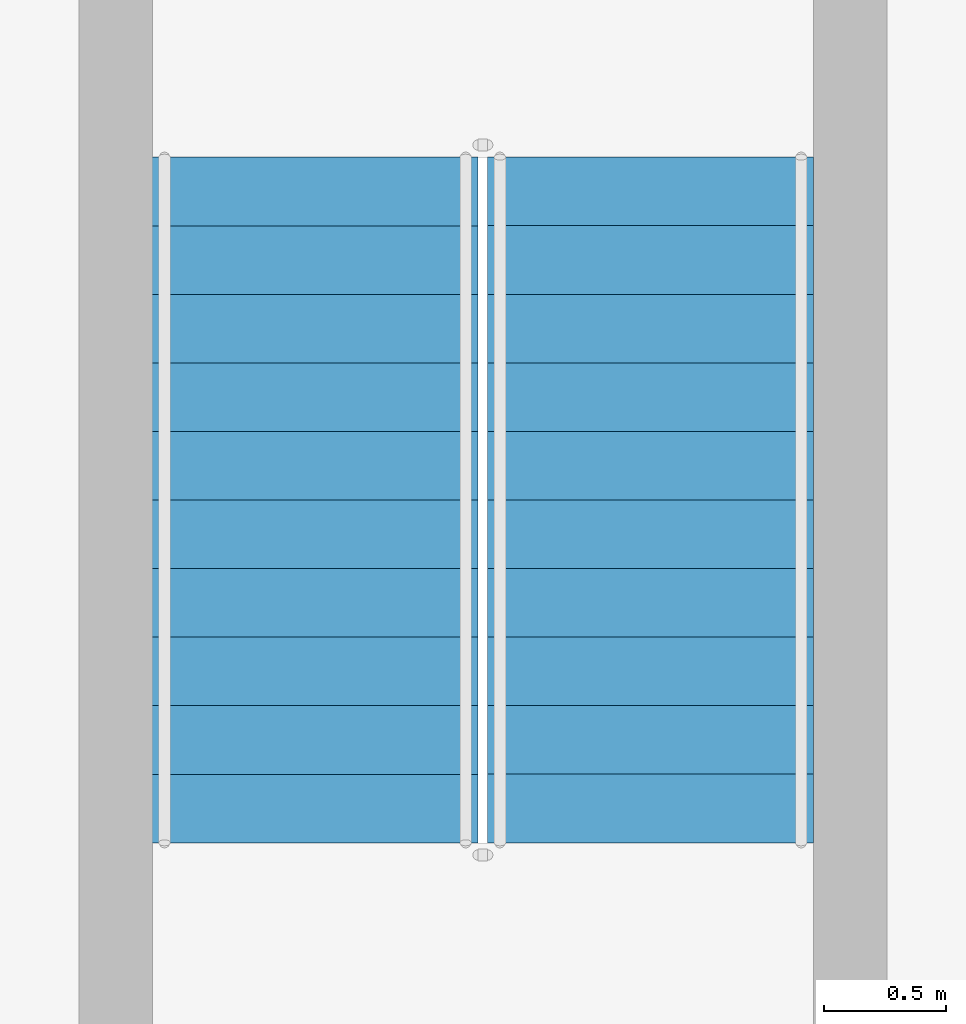
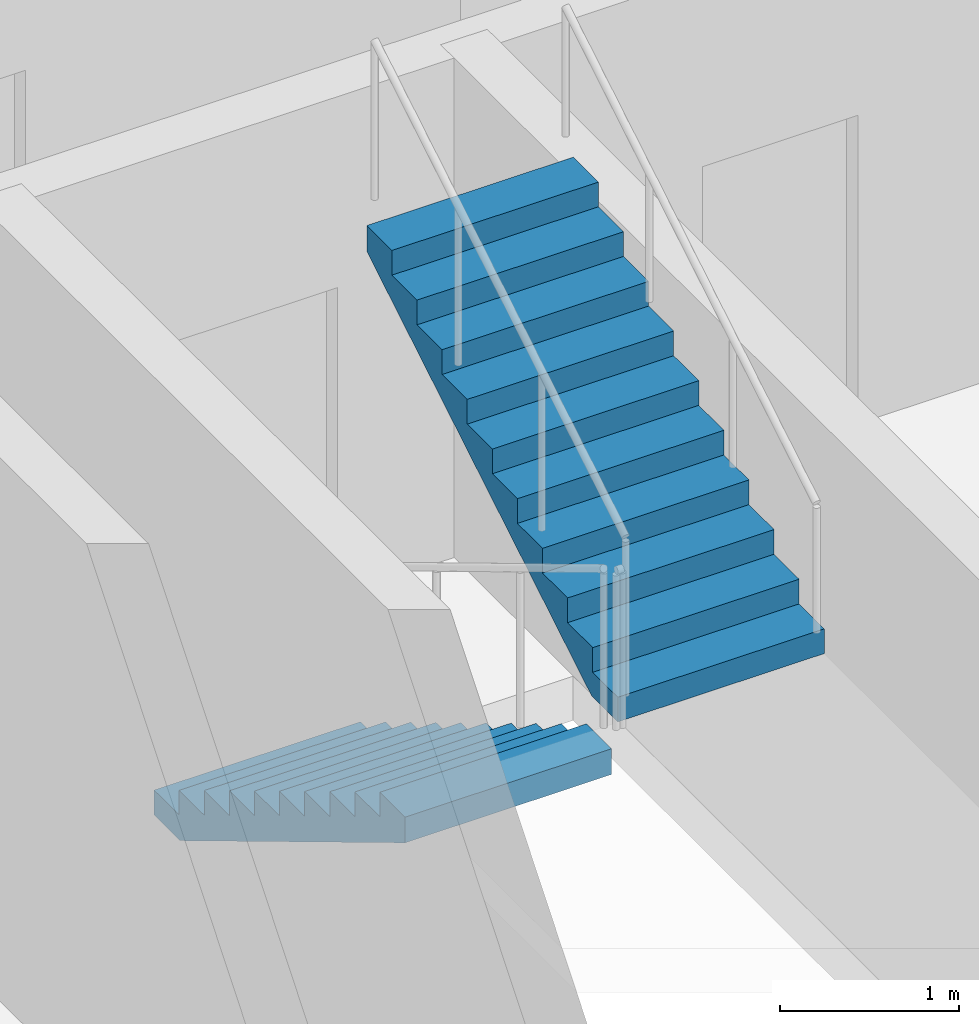
# One storey, part 15 of 23: 2 stair flights, 1 element without a shape of its own.
"""IFC4 building model written with IfcOpenShell, lengths in metres."""

from ifc_helpers import new_model, si_unit, direction, frame, origin, place, context, subcontext, project, spatial, triangles, source, transform, mapped, material, type_object, element, aggregate, save


model = new_model("IFC4")

# Units and contexts
model_context = context("Model", 3, precision=1e-05, world=origin(), true_north=direction((0.0, 1.0)))
body_context = subcontext(model_context, "Body", "Model", "MODEL_VIEW")
ifc_project = project(units=[si_unit("LENGTHUNIT", "METRE"), si_unit("AREAUNIT", "SQUARE_METRE"), si_unit("VOLUMEUNIT", "CUBIC_METRE"), si_unit("PLANEANGLEUNIT", "RADIAN"), si_unit("MASSUNIT", "GRAM", prefix="KILO")], contexts=[model_context])

# Site, building, storey
site_placement = place(None, origin())
site = spatial("IfcSite", under=ifc_project, at=site_placement, CompositionType="ELEMENT")
building_placement = place(site_placement, origin())
building = spatial("IfcBuilding", under=site, at=building_placement, Name="Ogive Portal Towers", CompositionType="ELEMENT")
storey_placement = place(building_placement, frame((0.0, 0.0, 179.199951171875)))
storey = spatial("IfcBuildingStorey", under=building, at=storey_placement, Name="L44", CompositionType="ELEMENT", Elevation=179.199951171875)

# Stair, stair flights
ifc_material = material(Name="Concrete C40/50", Category="concrete")
stair_type = type_object("IfcStairType", Name="INT-STAIR", PredefinedType="HALF_TURN_STAIR", material=ifc_material)
stair_placement = place(storey_placement, origin())
stair = element("IfcStair", 1, at=stair_placement, inside=storey, type_object=stair_type, Name="L44 Exit Stair ST-A4", PredefinedType="HALF_TURN_STAIR")
stair_flight_type = type_object("IfcStairFlightType", Name="INT-FLIGHT", PredefinedType="STRAIGHT", material=ifc_material)
shared_shape = source(origin(), body_context, "Body", "Tessellation", [
    triangles([(0.0, -0.6650390625, 0.0), (0.0, -0.384765625, 0.0), (0.0, -0.197021484375, 0.0), (0.0, -0.0830078125, 0.0), (0.0, -0.024658203125, 0.0), (0.0, -0.003173828125, 0.0), (0.0, 0.0, 0.0), (0.0, 0.003173828125, 0.0), (0.0, 0.024658203125, 0.0), (0.0, 0.0830078125, 0.0), (0.0, 0.197021484375, 0.0), (0.0, 0.384765625, 0.0), (0.0, 0.6650390625, 0.0), (0.0, -0.6650390625, 0.168212890625), (0.0, -0.384765625, 0.168212890625), (0.0, -0.197021484375, 0.168212890625), (0.0, -0.0830078125, 0.168212890625), (0.0, -0.024658203125, 0.168212890625), (0.0, -0.003173828125, 0.168212890625), (0.0, 0.0, 0.168212890625), (0.0, 0.003173828125, 0.168212890625), (0.0, 0.024658203125, 0.168212890625), (0.0, 0.0830078125, 0.168212890625), (0.0, 0.197021484375, 0.168212890625), (0.0, 0.384765625, 0.168212890625), (0.0, 0.6650390625, 0.168212890625), (0.280029296875, -0.6650390625, 0.168212890625), (0.280029296875, -0.384765625, 0.168212890625), (0.280029296875, -0.197021484375, 0.168212890625), (0.280029296875, -0.0830078125, 0.168212890625), (0.280029296875, -0.024658203125, 0.168212890625), (0.280029296875, -0.003173828125, 0.168212890625), (0.280029296875, 0.0, 0.168212890625), (0.280029296875, 0.003173828125, 0.168212890625), (0.280029296875, 0.024658203125, 0.168212890625), (0.280029296875, 0.0830078125, 0.168212890625), (0.280029296875, 0.197021484375, 0.168212890625), (0.280029296875, 0.384765625, 0.168212890625), (0.280029296875, 0.6650390625, 0.168212890625), (0.280029296875, -0.6650390625, 0.33642578125), (0.280029296875, -0.384765625, 0.33642578125), (0.280029296875, -0.197021484375, 0.33642578125), (0.280029296875, -0.0830078125, 0.33642578125), (0.280029296875, -0.024658203125, 0.33642578125), (0.280029296875, -0.003173828125, 0.33642578125), (0.280029296875, 0.0, 0.33642578125), (0.280029296875, 0.003173828125, 0.33642578125), (0.280029296875, 0.024658203125, 0.33642578125), (0.280029296875, 0.0830078125, 0.33642578125), (0.280029296875, 0.197021484375, 0.33642578125), (0.280029296875, 0.384765625, 0.33642578125), (0.280029296875, 0.6650390625, 0.33642578125), (0.56005859375, -0.6650390625, 0.33642578125), (0.56005859375, -0.384765625, 0.33642578125), (0.56005859375, -0.197021484375, 0.33642578125), (0.56005859375, -0.0830078125, 0.33642578125), (0.56005859375, -0.024658203125, 0.33642578125), (0.56005859375, -0.003173828125, 0.33642578125), (0.56005859375, 0.0, 0.33642578125), (0.56005859375, 0.003173828125, 0.33642578125), (0.56005859375, 0.024658203125, 0.33642578125), (0.56005859375, 0.0830078125, 0.33642578125), (0.56005859375, 0.197021484375, 0.33642578125), (0.56005859375, 0.384765625, 0.33642578125), (0.56005859375, 0.6650390625, 0.33642578125), (0.56005859375, -0.6650390625, 0.504638671875), (0.56005859375, -0.384765625, 0.504638671875), (0.56005859375, -0.197021484375, 0.504638671875), (0.56005859375, -0.0830078125, 0.504638671875), (0.56005859375, -0.024658203125, 0.504638671875), (0.56005859375, -0.003173828125, 0.504638671875), (0.56005859375, 0.0, 0.504638671875), (0.56005859375, 0.003173828125, 0.504638671875), (0.56005859375, 0.024658203125, 0.504638671875), (0.56005859375, 0.0830078125, 0.504638671875), (0.56005859375, 0.197021484375, 0.504638671875), (0.56005859375, 0.384765625, 0.504638671875), (0.56005859375, 0.6650390625, 0.504638671875), (0.840087890625, -0.6650390625, 0.504638671875), (0.840087890625, -0.384765625, 0.504638671875), (0.840087890625, -0.197021484375, 0.504638671875), (0.840087890625, -0.0830078125, 0.504638671875), (0.840087890625, -0.024658203125, 0.504638671875), (0.840087890625, -0.003173828125, 0.504638671875), (0.840087890625, 0.0, 0.504638671875), (0.840087890625, 0.003173828125, 0.504638671875), (0.840087890625, 0.024658203125, 0.504638671875), (0.840087890625, 0.0830078125, 0.504638671875), (0.840087890625, 0.197021484375, 0.504638671875), (0.840087890625, 0.384765625, 0.504638671875), (0.840087890625, 0.6650390625, 0.504638671875), (0.840087890625, -0.6650390625, 0.672607421875), (0.840087890625, -0.384765625, 0.672607421875), (0.840087890625, -0.197021484375, 0.672607421875), (0.840087890625, -0.0830078125, 0.672607421875), (0.840087890625, -0.024658203125, 0.672607421875), (0.840087890625, -0.003173828125, 0.672607421875), (0.840087890625, 0.0, 0.672607421875), (0.840087890625, 0.003173828125, 0.672607421875), (0.840087890625, 0.024658203125, 0.672607421875), (0.840087890625, 0.0830078125, 0.672607421875), (0.840087890625, 0.197021484375, 0.672607421875), (0.840087890625, 0.384765625, 0.672607421875), (0.840087890625, 0.6650390625, 0.672607421875), (1.1201171875, -0.6650390625, 0.672607421875), (1.1201171875, -0.384765625, 0.672607421875), (1.1201171875, -0.197021484375, 0.672607421875), (1.1201171875, -0.0830078125, 0.672607421875), (1.1201171875, -0.024658203125, 0.672607421875), (1.1201171875, -0.003173828125, 0.672607421875), (1.1201171875, 0.0, 0.672607421875), (1.1201171875, 0.003173828125, 0.672607421875), (1.1201171875, 0.024658203125, 0.672607421875), (1.1201171875, 0.0830078125, 0.672607421875), (1.1201171875, 0.197021484375, 0.672607421875), (1.1201171875, 0.384765625, 0.672607421875), (1.1201171875, 0.6650390625, 0.672607421875), (1.1201171875, -0.6650390625, 0.8408203125), (1.1201171875, -0.384765625, 0.8408203125), (1.1201171875, -0.197021484375, 0.8408203125), (1.1201171875, -0.0830078125, 0.8408203125), (1.1201171875, -0.024658203125, 0.8408203125), (1.1201171875, -0.003173828125, 0.8408203125), (1.1201171875, 0.0, 0.8408203125), (1.1201171875, 0.003173828125, 0.8408203125), (1.1201171875, 0.024658203125, 0.8408203125), (1.1201171875, 0.0830078125, 0.8408203125), (1.1201171875, 0.197021484375, 0.8408203125), (1.1201171875, 0.384765625, 0.8408203125), (1.1201171875, 0.6650390625, 0.8408203125), (1.39990234375, -0.6650390625, 0.8408203125), (1.39990234375, -0.384765625, 0.8408203125), (1.39990234375, -0.197021484375, 0.8408203125), (1.39990234375, -0.0830078125, 0.8408203125), (1.39990234375, -0.024658203125, 0.8408203125), (1.39990234375, -0.003173828125, 0.8408203125), (1.39990234375, 0.0, 0.8408203125), (1.39990234375, 0.003173828125, 0.8408203125), (1.39990234375, 0.024658203125, 0.8408203125), (1.39990234375, 0.0830078125, 0.8408203125), (1.39990234375, 0.197021484375, 0.8408203125), (1.39990234375, 0.384765625, 0.8408203125), (1.39990234375, 0.6650390625, 0.8408203125), (1.39990234375, -0.6650390625, 1.009033203125), (1.39990234375, -0.384765625, 1.009033203125), (1.39990234375, -0.197021484375, 1.009033203125), (1.39990234375, -0.0830078125, 1.009033203125), (1.39990234375, -0.024658203125, 1.009033203125), (1.39990234375, -0.003173828125, 1.009033203125), (1.39990234375, 0.0, 1.009033203125), (1.39990234375, 0.003173828125, 1.009033203125), (1.39990234375, 0.024658203125, 1.009033203125), (1.39990234375, 0.0830078125, 1.009033203125), (1.39990234375, 0.197021484375, 1.009033203125), (1.39990234375, 0.384765625, 1.009033203125), (1.39990234375, 0.6650390625, 1.009033203125), (1.679931640625, -0.6650390625, 1.009033203125), (1.679931640625, -0.384765625, 1.009033203125), (1.679931640625, -0.197021484375, 1.009033203125), (1.679931640625, -0.0830078125, 1.009033203125), (1.679931640625, -0.024658203125, 1.009033203125), (1.679931640625, -0.003173828125, 1.009033203125), (1.679931640625, 0.0, 1.009033203125), (1.679931640625, 0.003173828125, 1.009033203125), (1.679931640625, 0.024658203125, 1.009033203125), (1.679931640625, 0.0830078125, 1.009033203125), (1.679931640625, 0.197021484375, 1.009033203125), (1.679931640625, 0.384765625, 1.009033203125), (1.679931640625, 0.6650390625, 1.009033203125), (1.679931640625, -0.6650390625, 1.17724609375), (1.679931640625, -0.384765625, 1.17724609375), (1.679931640625, -0.197021484375, 1.17724609375), (1.679931640625, -0.0830078125, 1.17724609375), (1.679931640625, -0.024658203125, 1.17724609375), (1.679931640625, -0.003173828125, 1.17724609375), (1.679931640625, 0.0, 1.17724609375), (1.679931640625, 0.003173828125, 1.17724609375), (1.679931640625, 0.024658203125, 1.17724609375), (1.679931640625, 0.0830078125, 1.17724609375), (1.679931640625, 0.197021484375, 1.17724609375), (1.679931640625, 0.384765625, 1.17724609375), (1.679931640625, 0.6650390625, 1.17724609375), (1.9599609375, -0.6650390625, 1.17724609375), (1.9599609375, -0.384765625, 1.17724609375), (1.9599609375, -0.197021484375, 1.17724609375), (1.9599609375, -0.0830078125, 1.17724609375), (1.9599609375, -0.024658203125, 1.17724609375), (1.9599609375, -0.003173828125, 1.17724609375), (1.9599609375, 0.0, 1.17724609375), (1.9599609375, 0.003173828125, 1.17724609375), (1.9599609375, 0.024658203125, 1.17724609375), (1.9599609375, 0.0830078125, 1.17724609375), (1.9599609375, 0.197021484375, 1.17724609375), (1.9599609375, 0.384765625, 1.17724609375), (1.9599609375, 0.6650390625, 1.17724609375), (1.9599609375, -0.6650390625, 1.345458984375), (1.9599609375, -0.384765625, 1.345458984375), (1.9599609375, -0.197021484375, 1.345458984375), (1.9599609375, -0.0830078125, 1.345458984375), (1.9599609375, -0.024658203125, 1.345458984375), (1.9599609375, -0.003173828125, 1.345458984375), (1.9599609375, 0.0, 1.345458984375), (1.9599609375, 0.003173828125, 1.345458984375), (1.9599609375, 0.024658203125, 1.345458984375), (1.9599609375, 0.0830078125, 1.345458984375), (1.9599609375, 0.197021484375, 1.345458984375), (1.9599609375, 0.384765625, 1.345458984375), (1.9599609375, 0.6650390625, 1.345458984375), (2.239990234375, -0.6650390625, 1.345458984375), (2.239990234375, -0.384765625, 1.345458984375), (2.239990234375, -0.197021484375, 1.345458984375), (2.239990234375, -0.0830078125, 1.345458984375), (2.239990234375, -0.024658203125, 1.345458984375), (2.239990234375, -0.003173828125, 1.345458984375), (2.239990234375, 0.0, 1.345458984375), (2.239990234375, 0.003173828125, 1.345458984375), (2.239990234375, 0.024658203125, 1.345458984375), (2.239990234375, 0.0830078125, 1.345458984375), (2.239990234375, 0.197021484375, 1.345458984375), (2.239990234375, 0.384765625, 1.345458984375), (2.239990234375, 0.6650390625, 1.345458984375), (2.239990234375, -0.6650390625, 1.513671875), (2.239990234375, -0.384765625, 1.513671875), (2.239990234375, -0.197021484375, 1.513671875), (2.239990234375, -0.0830078125, 1.513671875), (2.239990234375, -0.024658203125, 1.513671875), (2.239990234375, -0.003173828125, 1.513671875), (2.239990234375, 0.0, 1.513671875), (2.239990234375, 0.003173828125, 1.513671875), (2.239990234375, 0.024658203125, 1.513671875), (2.239990234375, 0.0830078125, 1.513671875), (2.239990234375, 0.197021484375, 1.513671875), (2.239990234375, 0.384765625, 1.513671875), (2.239990234375, 0.6650390625, 1.513671875), (2.52001953125, -0.6650390625, 1.513671875), (2.52001953125, -0.384765625, 1.513671875), (2.52001953125, -0.197021484375, 1.513671875), (2.52001953125, -0.0830078125, 1.513671875), (2.52001953125, -0.024658203125, 1.513671875), (2.52001953125, -0.003173828125, 1.513671875), (2.52001953125, 0.0, 1.513671875), (2.52001953125, 0.003173828125, 1.513671875), (2.52001953125, 0.024658203125, 1.513671875), (2.52001953125, 0.0830078125, 1.513671875), (2.52001953125, 0.197021484375, 1.513671875), (2.52001953125, 0.384765625, 1.513671875), (2.52001953125, 0.6650390625, 1.513671875), (2.52001953125, -0.6650390625, 1.681884765625), (2.52001953125, -0.384765625, 1.681884765625), (2.52001953125, -0.197021484375, 1.681884765625), (2.52001953125, -0.0830078125, 1.681884765625), (2.52001953125, -0.024658203125, 1.681884765625), (2.52001953125, -0.003173828125, 1.681884765625), (2.52001953125, 0.0, 1.681884765625), (2.52001953125, 0.003173828125, 1.681884765625), (2.52001953125, 0.024658203125, 1.681884765625), (2.52001953125, 0.0830078125, 1.681884765625), (2.52001953125, 0.197021484375, 1.681884765625), (2.52001953125, 0.384765625, 1.681884765625), (2.52001953125, 0.6650390625, 1.681884765625), (2.800048828125, -0.6650390625, 1.681884765625), (2.800048828125, -0.384765625, 1.681884765625), (2.800048828125, -0.197021484375, 1.681884765625), (2.800048828125, -0.0830078125, 1.681884765625), (2.800048828125, -0.024658203125, 1.681884765625), (2.800048828125, -0.003173828125, 1.681884765625), (2.800048828125, 0.0, 1.681884765625), (2.800048828125, 0.003173828125, 1.681884765625), (2.800048828125, 0.024658203125, 1.681884765625), (2.800048828125, 0.0830078125, 1.681884765625), (2.800048828125, 0.197021484375, 1.681884765625), (2.800048828125, 0.384765625, 1.681884765625), (2.800048828125, 0.6650390625, 1.681884765625), (2.800048828125, -0.6650390625, 1.5068359375), (2.800048828125, -0.384765625, 1.5068359375), (2.800048828125, -0.197021484375, 1.5068359375), (2.800048828125, -0.0830078125, 1.5068359375), (2.800048828125, -0.024658203125, 1.5068359375), (2.800048828125, -0.003173828125, 1.5068359375), (2.800048828125, 0.0, 1.5068359375), (2.800048828125, 0.003173828125, 1.5068359375), (2.800048828125, 0.024658203125, 1.5068359375), (2.800048828125, 0.0830078125, 1.5068359375), (2.800048828125, 0.197021484375, 1.5068359375), (2.800048828125, 0.384765625, 1.5068359375), (2.800048828125, 0.6650390625, 1.5068359375), (0.291015625, -0.6650390625, 0.0), (0.291015625, -0.384765625, 0.0), (0.291015625, -0.197021484375, 0.0), (0.291015625, -0.0830078125, 0.0), (0.291015625, -0.024658203125, 0.0), (0.291015625, -0.003173828125, 0.0), (0.291015625, 0.0, 0.0), (0.291015625, 0.003173828125, 0.0), (0.291015625, 0.024658203125, 0.0), (0.291015625, 0.0830078125, 0.0), (0.291015625, 0.197021484375, 0.0), (0.291015625, 0.384765625, 0.0), (0.291015625, 0.6650390625, 0.0)], [[1, 14, 15], [1, 15, 2], [2, 15, 16], [2, 16, 3], [3, 16, 17], [3, 17, 4], [4, 17, 18], [4, 18, 5], [5, 18, 19], [5, 19, 6], [6, 19, 20], [6, 20, 7], [7, 20, 21], [7, 21, 8], [8, 21, 22], [8, 22, 9], [9, 22, 23], [9, 23, 10], [10, 23, 24], [10, 24, 11], [11, 24, 25], [11, 25, 12], [12, 25, 26], [12, 26, 13], [14, 27, 28], [14, 28, 15], [15, 28, 29], [15, 29, 16], [16, 29, 30], [16, 30, 17], [17, 30, 31], [17, 31, 18], [18, 31, 32], [18, 32, 19], [19, 32, 33], [19, 33, 20], [20, 33, 34], [20, 34, 21], [21, 34, 35], [21, 35, 22], [22, 35, 36], [22, 36, 23], [23, 36, 37], [23, 37, 24], [24, 37, 38], [24, 38, 25], [25, 38, 39], [25, 39, 26], [27, 40, 41], [27, 41, 28], [28, 41, 42], [28, 42, 29], [29, 42, 43], [29, 43, 30], [30, 43, 44], [30, 44, 31], [31, 44, 45], [31, 45, 32], [32, 45, 46], [32, 46, 33], [33, 46, 47], [33, 47, 34], [34, 47, 48], [34, 48, 35], [35, 48, 49], [35, 49, 36], [36, 49, 50], [36, 50, 37], [37, 50, 51], [37, 51, 38], [38, 51, 52], [38, 52, 39], [40, 53, 54], [40, 54, 41], [41, 54, 55], [41, 55, 42], [42, 55, 56], [42, 56, 43], [43, 56, 57], [43, 57, 44], [44, 57, 58], [44, 58, 45], [45, 58, 59], [45, 59, 46], [46, 59, 60], [46, 60, 47], [47, 60, 61], [47, 61, 48], [48, 61, 62], [48, 62, 49], [49, 62, 63], [49, 63, 50], [50, 63, 64], [50, 64, 51], [51, 64, 65], [51, 65, 52], [53, 66, 67], [53, 67, 54], [54, 67, 68], [54, 68, 55], [55, 68, 69], [55, 69, 56], [56, 69, 70], [56, 70, 57], [57, 70, 71], [57, 71, 58], [58, 71, 72], [58, 72, 59], [59, 72, 73], [59, 73, 60], [60, 73, 74], [60, 74, 61], [61, 74, 75], [61, 75, 62], [62, 75, 76], [62, 76, 63], [63, 76, 77], [63, 77, 64], [64, 77, 78], [64, 78, 65], [66, 79, 80], [66, 80, 67], [67, 80, 81], [67, 81, 68], [68, 81, 82], [68, 82, 69], [69, 82, 83], [69, 83, 70], [70, 83, 84], [70, 84, 71], [71, 84, 85], [71, 85, 72], [72, 85, 86], [72, 86, 73], [73, 86, 87], [73, 87, 74], [74, 87, 88], [74, 88, 75], [75, 88, 89], [75, 89, 76], [76, 89, 90], [76, 90, 77], [77, 90, 91], [77, 91, 78], [79, 92, 93], [79, 93, 80], [80, 93, 94], [80, 94, 81], [81, 94, 95], [81, 95, 82], [82, 95, 96], [82, 96, 83], [83, 96, 97], [83, 97, 84], [84, 97, 98], [84, 98, 85], [85, 98, 99], [85, 99, 86], [86, 99, 100], [86, 100, 87], [87, 100, 101], [87, 101, 88], [88, 101, 102], [88, 102, 89], [89, 102, 103], [89, 103, 90], [90, 103, 104], [90, 104, 91], [92, 105, 106], [92, 106, 93], [93, 106, 107], [93, 107, 94], [94, 107, 108], [94, 108, 95], [95, 108, 109], [95, 109, 96], [96, 109, 110], [96, 110, 97], [97, 110, 111], [97, 111, 98], [98, 111, 112], [98, 112, 99], [99, 112, 113], [99, 113, 100], [100, 113, 114], [100, 114, 101], [101, 114, 115], [101, 115, 102], [102, 115, 116], [102, 116, 103], [103, 116, 117], [103, 117, 104], [105, 118, 119], [105, 119, 106], [106, 119, 120], [106, 120, 107], [107, 120, 121], [107, 121, 108], [108, 121, 122], [108, 122, 109], [109, 122, 123], [109, 123, 110], [110, 123, 124], [110, 124, 111], [111, 124, 125], [111, 125, 112], [112, 125, 126], [112, 126, 113], [113, 126, 127], [113, 127, 114], [114, 127, 128], [114, 128, 115], [115, 128, 129], [115, 129, 116], [116, 129, 130], [116, 130, 117], [118, 131, 132], [118, 132, 119], [119, 132, 133], [119, 133, 120], [120, 133, 134], [120, 134, 121], [121, 134, 135], [121, 135, 122], [122, 135, 136], [122, 136, 123], [123, 136, 137], [123, 137, 124], [124, 137, 138], [124, 138, 125], [125, 138, 139], [125, 139, 126], [126, 139, 140], [126, 140, 127], [127, 140, 141], [127, 141, 128], [128, 141, 142], [128, 142, 129], [129, 142, 143], [129, 143, 130], [131, 144, 145], [131, 145, 132], [132, 145, 146], [132, 146, 133], [133, 146, 147], [133, 147, 134], [134, 147, 148], [134, 148, 135], [135, 148, 149], [135, 149, 136], [136, 149, 150], [136, 150, 137], [137, 150, 151], [137, 151, 138], [138, 151, 152], [138, 152, 139], [139, 152, 153], [139, 153, 140], [140, 153, 154], [140, 154, 141], [141, 154, 155], [141, 155, 142], [142, 155, 156], [142, 156, 143], [144, 157, 158], [144, 158, 145], [145, 158, 159], [145, 159, 146], [146, 159, 160], [146, 160, 147], [147, 160, 161], [147, 161, 148], [148, 161, 162], [148, 162, 149], [149, 162, 163], [149, 163, 150], [150, 163, 164], [150, 164, 151], [151, 164, 165], [151, 165, 152], [152, 165, 166], [152, 166, 153], [153, 166, 167], [153, 167, 154], [154, 167, 168], [154, 168, 155], [155, 168, 169], [155, 169, 156], [157, 170, 171], [157, 171, 158], [158, 171, 172], [158, 172, 159], [159, 172, 173], [159, 173, 160], [160, 173, 174], [160, 174, 161], [161, 174, 175], [161, 175, 162], [162, 175, 176], [162, 176, 163], [163, 176, 177], [163, 177, 164], [164, 177, 178], [164, 178, 165], [165, 178, 179], [165, 179, 166], [166, 179, 180], [166, 180, 167], [167, 180, 181], [167, 181, 168], [168, 181, 182], [168, 182, 169], [170, 183, 184], [170, 184, 171], [171, 184, 185], [171, 185, 172], [172, 185, 186], [172, 186, 173], [173, 186, 187], [173, 187, 174], [174, 187, 188], [174, 188, 175], [175, 188, 189], [175, 189, 176], [176, 189, 190], [176, 190, 177], [177, 190, 191], [177, 191, 178], [178, 191, 192], [178, 192, 179], [179, 192, 193], [179, 193, 180], [180, 193, 194], [180, 194, 181], [181, 194, 195], [181, 195, 182], [183, 196, 197], [183, 197, 184], [184, 197, 198], [184, 198, 185], [185, 198, 199], [185, 199, 186], [186, 199, 200], [186, 200, 187], [187, 200, 201], [187, 201, 188], [188, 201, 202], [188, 202, 189], [189, 202, 203], [189, 203, 190], [190, 203, 204], [190, 204, 191], [191, 204, 205], [191, 205, 192], [192, 205, 206], [192, 206, 193], [193, 206, 207], [193, 207, 194], [194, 207, 208], [194, 208, 195], [196, 209, 210], [196, 210, 197], [197, 210, 211], [197, 211, 198], [198, 211, 212], [198, 212, 199], [199, 212, 213], [199, 213, 200], [200, 213, 214], [200, 214, 201], [201, 214, 215], [201, 215, 202], [202, 215, 216], [202, 216, 203], [203, 216, 217], [203, 217, 204], [204, 217, 218], [204, 218, 205], [205, 218, 219], [205, 219, 206], [206, 219, 220], [206, 220, 207], [207, 220, 221], [207, 221, 208], [209, 222, 223], [209, 223, 210], [210, 223, 224], [210, 224, 211], [211, 224, 225], [211, 225, 212], [212, 225, 226], [212, 226, 213], [213, 226, 227], [213, 227, 214], [214, 227, 228], [214, 228, 215], [215, 228, 229], [215, 229, 216], [216, 229, 230], [216, 230, 217], [217, 230, 231], [217, 231, 218], [218, 231, 232], [218, 232, 219], [219, 232, 233], [219, 233, 220], [220, 233, 234], [220, 234, 221], [222, 235, 236], [222, 236, 223], [223, 236, 237], [223, 237, 224], [224, 237, 238], [224, 238, 225], [225, 238, 239], [225, 239, 226], [226, 239, 240], [226, 240, 227], [227, 240, 241], [227, 241, 228], [228, 241, 242], [228, 242, 229], [229, 242, 243], [229, 243, 230], [230, 243, 244], [230, 244, 231], [231, 244, 245], [231, 245, 232], [232, 245, 246], [232, 246, 233], [233, 246, 247], [233, 247, 234], [235, 248, 249], [235, 249, 236], [236, 249, 250], [236, 250, 237], [237, 250, 251], [237, 251, 238], [238, 251, 252], [238, 252, 239], [239, 252, 253], [239, 253, 240], [240, 253, 254], [240, 254, 241], [241, 254, 255], [241, 255, 242], [242, 255, 256], [242, 256, 243], [243, 256, 257], [243, 257, 244], [244, 257, 258], [244, 258, 245], [245, 258, 259], [245, 259, 246], [246, 259, 260], [246, 260, 247], [248, 261, 262], [248, 262, 249], [249, 262, 263], [249, 263, 250], [250, 263, 264], [250, 264, 251], [251, 264, 265], [251, 265, 252], [252, 265, 266], [252, 266, 253], [253, 266, 267], [253, 267, 254], [254, 267, 268], [254, 268, 255], [255, 268, 269], [255, 269, 256], [256, 269, 270], [256, 270, 257], [257, 270, 271], [257, 271, 258], [258, 271, 272], [258, 272, 259], [259, 272, 273], [259, 273, 260], [261, 274, 275], [261, 275, 262], [262, 275, 276], [262, 276, 263], [263, 276, 277], [263, 277, 264], [264, 277, 278], [264, 278, 265], [265, 278, 279], [265, 279, 266], [266, 279, 280], [266, 280, 267], [267, 280, 281], [267, 281, 268], [268, 281, 282], [268, 282, 269], [269, 282, 283], [269, 283, 270], [270, 283, 284], [270, 284, 271], [271, 284, 285], [271, 285, 272], [272, 285, 286], [272, 286, 273], [274, 287, 288], [274, 288, 275], [275, 288, 289], [275, 289, 276], [276, 289, 290], [276, 290, 277], [277, 290, 291], [277, 291, 278], [278, 291, 292], [278, 292, 279], [279, 292, 293], [279, 293, 280], [280, 293, 294], [280, 294, 281], [281, 294, 295], [281, 295, 282], [282, 295, 296], [282, 296, 283], [283, 296, 297], [283, 297, 284], [284, 297, 298], [284, 298, 285], [285, 298, 299], [285, 299, 286], [287, 1, 2], [287, 2, 288], [288, 2, 3], [288, 3, 289], [289, 3, 4], [289, 4, 290], [290, 4, 5], [290, 5, 291], [291, 5, 6], [291, 6, 292], [292, 6, 7], [292, 7, 293], [293, 7, 8], [293, 8, 294], [294, 8, 9], [294, 9, 295], [295, 9, 10], [295, 10, 296], [296, 10, 11], [296, 11, 297], [297, 11, 12], [297, 12, 298], [298, 12, 13], [298, 13, 299], [1, 287, 274], [13, 286, 299], [274, 261, 248], [286, 260, 273], [274, 248, 235], [286, 247, 260], [274, 235, 222], [286, 234, 247], [274, 222, 209], [286, 221, 234], [209, 196, 183], [221, 195, 208], [274, 209, 183], [286, 195, 221], [183, 170, 157], [195, 169, 182], [274, 183, 157], [286, 169, 195], [157, 144, 131], [169, 143, 156], [274, 157, 131], [286, 143, 169], [131, 118, 105], [143, 117, 130], [274, 131, 105], [286, 117, 143], [1, 274, 105], [13, 117, 286], [105, 92, 79], [117, 91, 104], [79, 66, 53], [91, 65, 78], [105, 79, 53], [117, 65, 91], [53, 40, 27], [65, 39, 52], [105, 53, 27], [117, 39, 65], [1, 105, 27], [13, 39, 117], [27, 14, 1], [39, 13, 26]], closed=True),
])
stair_flight_1_placement = place(storey_placement, frame((87.6650390625, 29.169921875, 0.0), z_axis=(0.0, 0.0, 1.0), x_axis=(0.0, -1.0, 0.0)))
stair_flight_1 = element("IfcStairFlight", 2, at=stair_flight_1_placement, type_object=stair_flight_type, Name="ST-A4 flight 1", NumberOfRisers=11, NumberOfTreads=10, PredefinedType="STRAIGHT", RiserHeight=0.168181818, TreadLength=0.28, context=body_context, shape_type="MappedRepresentation", body=[
    mapped(shared_shape, transform((0.0, 0.0, 0.0), scale=1.0)),
])
stair_flight_2_placement = place(storey_placement, frame((89.034912109375, 26.3701171875, 1.85009765625), z_axis=(0.0, 0.0, 1.0), x_axis=(0.0, 1.0, 0.0)))
stair_flight_2 = element("IfcStairFlight", 3, at=stair_flight_2_placement, type_object=stair_flight_type, Name="ST-A4 flight 2", NumberOfRisers=11, NumberOfTreads=10, PredefinedType="STRAIGHT", RiserHeight=0.168181818, TreadLength=0.28, context=body_context, shape_type="MappedRepresentation", body=[
    mapped(shared_shape, transform((0.0, 0.0, 0.0), scale=1.0)),
])
aggregate(stair, [stair_flight_1, stair_flight_2])

save(model, "model.ifc")
